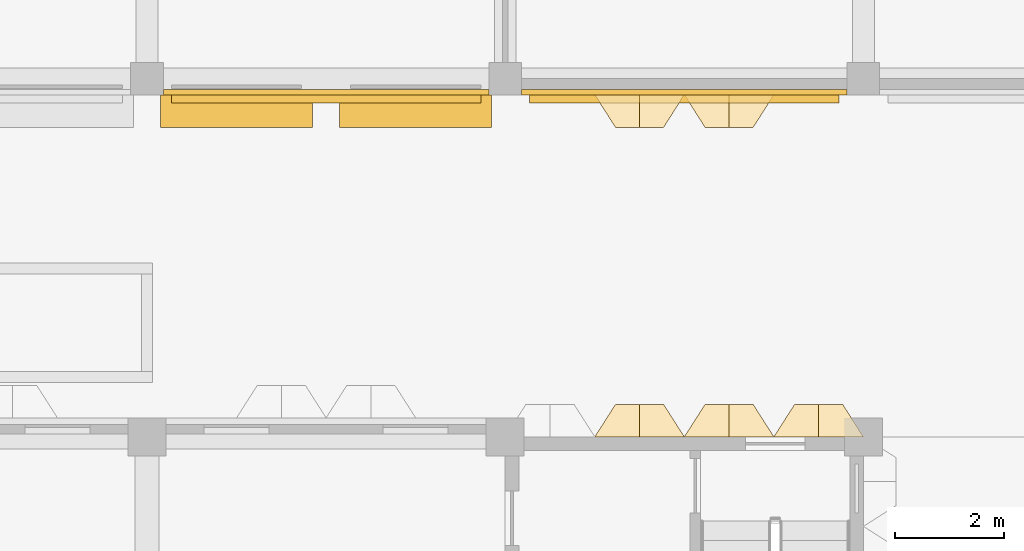
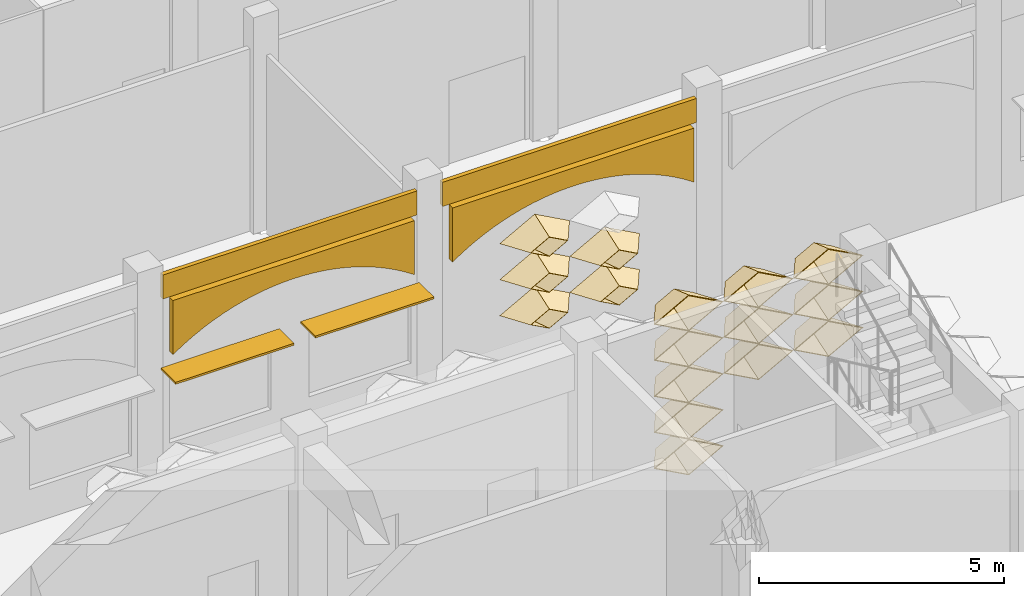
# One storey, part 68 of 85: 20 coverings, 2 shading devices.
"""IFC4 building model written with IfcOpenShell, lengths in metres."""

import ifcopenshell
import ifcopenshell.guid

model = None  # the IFC model being written
_history = None  # IfcOwnerHistory: only IFC2X3 demands one
_inside = {}  # id of a spatial element -> (the spatial element, [elements in it])
_under = {}  # id of a project, library or spatial element -> (it, [spatial elements below it])
_declared = {}  # id of a project -> (the project, [libraries it declares])
_typed = {}  # id of a type object -> (the type object, [elements of that type])
_made_of = {}  # id of a material, layer set ... -> (it, [elements and type objects made of it])


def new_model(schema):
    """Start an empty IFC model of exactly this schema.

    Asked for "IFC4X3", IfcOpenShell would pick the latest addendum, in which some entities
    have other attributes; the version numbers below select the first issue.
    IFC2X3 requires an IfcOwnerHistory on every rooted entity: one is made here for all.
    """
    global model, _history
    if schema == "IFC4X3":
        model = ifcopenshell.file(schema_version=(4, 3, 0, 0))
    else:
        model = ifcopenshell.file(schema=schema)
    _inside.clear()
    _under.clear()
    _declared.clear()
    _typed.clear()
    _made_of.clear()
    _history = None
    if model.schema == "IFC2X3":
        org = make("IfcOrganization", Name="unknown")
        user = make(
            "IfcPersonAndOrganization",
            ThePerson=make("IfcPerson", FamilyName="unknown"),
            TheOrganization=org,
        )
        app = make(
            "IfcApplication",
            ApplicationDeveloper=org,
            Version="unknown",
            ApplicationFullName="unknown",
            ApplicationIdentifier="unknown",
        )
        _history = make(
            "IfcOwnerHistory",
            OwningUser=user,
            OwningApplication=app,
            ChangeAction="ADDED",
            CreationDate=0,
        )
    return model


def make(cls, **values):
    """One entity of the class cls with the attributes given. An attribute that is None is left unset."""
    return model.create_entity(
        cls, **{name: value for name, value in values.items() if value is not None}
    )


def entity(cls, *values):
    """Any entity or typed value of the class cls, its attributes in the order of the schema. None: left unset."""
    e = model.create_entity(cls)
    for i, value in enumerate(values):
        if value is not None:
            e[i] = value
    return e


def rooted(cls, **values):
    """An entity with a GlobalId (a new one), such as an element, a storey or a relation."""
    return make(cls, GlobalId=ifcopenshell.guid.new(), OwnerHistory=_history, **values)


def si_unit(unit_type, name, prefix=None):
    """IfcSIUnit, for example si_unit("LENGTHUNIT", "METRE", prefix="MILLI")."""
    return make("IfcSIUnit", UnitType=unit_type, Prefix=prefix, Name=name)


def assignment(units):
    """IfcUnitAssignment: the units of a project."""
    return None if units is None else make("IfcUnitAssignment", Units=units)


def point(xyz):
    """IfcCartesianPoint."""
    return None if xyz is None else make("IfcCartesianPoint", Coordinates=xyz)


def direction(xyz):
    """IfcDirection."""
    return None if xyz is None else make("IfcDirection", DirectionRatios=xyz)


def frame(location, z_axis=None, x_axis=None):
    """IfcAxis2Placement3D, a coordinate frame: its origin and axes. An axis left out is left unset."""
    return make(
        "IfcAxis2Placement3D",
        Location=point(location),
        Axis=direction(z_axis),
        RefDirection=direction(x_axis),
    )


def frame_2d(location, x_axis=None):
    """IfcAxis2Placement2D, a coordinate frame in the plane: its origin and x axis."""
    return make(
        "IfcAxis2Placement2D", Location=point(location), RefDirection=direction(x_axis)
    )


def origin():
    """The frame at (0, 0, 0) with its axes left unset."""
    return frame((0.0, 0.0, 0.0))


def origin_2d():
    """The frame at (0, 0) in the plane with its x axis left unset."""
    return frame_2d((0.0, 0.0))


def place(relative_to, where):
    """IfcLocalPlacement: puts the frame where relative to a parent placement (None: the world)."""
    return make(
        "IfcLocalPlacement", PlacementRelTo=relative_to, RelativePlacement=where
    )


def context(
    kind, dimensions, precision=None, world=None, true_north=None, identifier=None
):
    """IfcGeometricRepresentationContext, for example the 3D "Model" context."""
    return make(
        "IfcGeometricRepresentationContext",
        ContextIdentifier=identifier,
        ContextType=kind,
        CoordinateSpaceDimension=dimensions,
        Precision=precision,
        WorldCoordinateSystem=world,
        TrueNorth=true_north,
    )


def subcontext(parent, identifier, kind, view, scale=None):
    """IfcGeometricRepresentationSubContext, for example "Body" below "Model"."""
    return make(
        "IfcGeometricRepresentationSubContext",
        ContextIdentifier=identifier,
        ContextType=kind,
        ParentContext=parent,
        TargetScale=scale,
        TargetView=view,
    )


def project(units=None, contexts=None):
    """IfcProject with its units and contexts."""
    return rooted(
        "IfcProject",
        Name="project",
        RepresentationContexts=contexts,
        UnitsInContext=assignment(units),
    )


def spatial(cls, under=None, at=None, **own):
    """A site, building, storey or space (cls), placed at a placement, below another one or the project."""
    s = rooted(cls, ObjectPlacement=at, **own)
    if under is not None:
        _under.setdefault(under.id(), (under, []))[1].append(s)
    return s


def polyline(points):
    """IfcPolyline through the points."""
    return make("IfcPolyline", Points=[point(p) for p in points])


def profile(cls, at=None, kind="AREA", **sizes):
    """A parametric profile (cls). Its sizes go by their IFC names, for example OverallWidth=200.0."""
    return make(cls, ProfileType=kind, Position=at, **sizes)


def rectangle(**sizes):
    """IfcRectangleProfileDef."""
    return profile("IfcRectangleProfileDef", **sizes)


def outline(outer, holes=None, kind="AREA"):
    """IfcArbitraryClosedProfileDef: a profile drawn as a closed curve; with holes, ...WithVoids."""
    if holes is None:
        return make("IfcArbitraryClosedProfileDef", ProfileType=kind, OuterCurve=outer)
    return make(
        "IfcArbitraryProfileDefWithVoids",
        ProfileType=kind,
        OuterCurve=outer,
        InnerCurves=holes,
    )


def extrude(swept, where, along, depth):
    """IfcExtrudedAreaSolid: the profile swept, set in the frame where, extruded along a direction by depth."""
    return make(
        "IfcExtrudedAreaSolid",
        SweptArea=swept,
        Position=where,
        ExtrudedDirection=direction(along),
        Depth=depth,
    )


def shape(context_of_items, identifier, shape_type, items):
    """IfcShapeRepresentation: the items that make up one representation, for example the "Body"."""
    return make(
        "IfcShapeRepresentation",
        ContextOfItems=context_of_items,
        RepresentationIdentifier=identifier,
        RepresentationType=shape_type,
        Items=items,
    )


def material(Name=None, Category=None):
    """IfcMaterial."""
    return make("IfcMaterial", Name=Name, Category=Category)


def layer(
    of_material, thickness, ventilated=None, Name=None, Category=None, Priority=None
):
    """IfcMaterialLayer: one layer of a wall or slab, of a material (None: an air gap)."""
    return make(
        "IfcMaterialLayer",
        Material=of_material,
        LayerThickness=thickness,
        IsVentilated=ventilated,
        Name=Name,
        Category=Category,
        Priority=Priority,
    )


def layer_set(layers, Name=None):
    """IfcMaterialLayerSet."""
    return make("IfcMaterialLayerSet", MaterialLayers=layers, LayerSetName=Name)


def made_of(thing, what):
    """Note that an element or type object is made of a material, layer set ...; save() writes the relation."""
    if what is not None:
        _made_of.setdefault(what.id(), (what, []))[1].append(thing)
    return thing


def type_object(cls, material=None, **own):
    """A type object (cls), such as IfcWallType, which elements share."""
    return made_of(rooted(cls, **own), material)


def element(
    cls,
    number,
    at=None,
    inside=None,
    cuts=None,
    type_object=None,
    material=None,
    context=None,
    identifier="Body",
    shape_type=None,
    held_by="IfcProductDefinitionShape",
    body=None,
    shapes=None,
    **own,
):
    """One element of the class cls, such as IfcWall. Its Tag is "e" and its number.

    at: its placement. inside: the storey or other place that contains it. cuts: it is an
    opening in that element (IfcRelVoidsElement). A single representation is given by context,
    identifier, shape_type and body (its items); several are given by shapes. held_by: the class
    of the entity that holds the representations. save() writes the other relations.
    """
    e = rooted(cls, Tag="e%d" % number, ObjectPlacement=at, **own)
    if body is not None:
        shapes = [shape(context, identifier, shape_type, body)]
    if shapes is not None:
        e.Representation = make(held_by, Representations=shapes)
    if inside is not None:
        _inside.setdefault(inside.id(), (inside, []))[1].append(e)
    if cuts is not None:
        rooted(
            "IfcRelVoidsElement", RelatingBuildingElement=cuts, RelatedOpeningElement=e
        )
    if type_object is not None:
        _typed.setdefault(type_object.id(), (type_object, []))[1].append(e)
    return made_of(e, material)


def aggregate(whole, parts):
    """IfcRelAggregates: a whole, such as a stair, and the parts it consists of."""
    return rooted("IfcRelAggregates", RelatingObject=whole, RelatedObjects=parts)


def save(model, path):
    """Write the relations noted so far, then the file.

    IfcRelAggregates (storeys below a building ...), IfcRelContainedInSpatialStructure (elements
    in a storey), IfcRelDefinesByType, IfcRelAssociatesMaterial and IfcRelDeclares: one each for
    every whole, place, type object, material and project.
    """
    for whole, parts in _under.values():
        aggregate(whole, parts)
    for where, things in _inside.values():
        rooted(
            "IfcRelContainedInSpatialStructure",
            RelatedElements=things,
            RelatingStructure=where,
        )
    for kind, things in _typed.values():
        rooted("IfcRelDefinesByType", RelatedObjects=things, RelatingType=kind)
    for what, things in _made_of.values():
        rooted("IfcRelAssociatesMaterial", RelatedObjects=things, RelatingMaterial=what)
    for by, libraries in _declared.values():
        rooted("IfcRelDeclares", RelatingContext=by, RelatedDefinitions=libraries)
    model.write(path)


model = new_model("IFC4")

# Units and contexts
model_context = context("Model", 3, precision=1e-05, world=origin(), true_north=direction((0.0, 1.0)))
body_context = subcontext(model_context, "Body", "Model", "MODEL_VIEW")
ifc_project = project(units=[si_unit("LENGTHUNIT", "METRE"), si_unit("AREAUNIT", "SQUARE_METRE"), si_unit("VOLUMEUNIT", "CUBIC_METRE"), si_unit("PLANEANGLEUNIT", "RADIAN"), si_unit("MASSUNIT", "GRAM", prefix="KILO")], contexts=[model_context])

# Site, building, storey
site_placement = place(None, origin())
site = spatial("IfcSite", under=ifc_project, at=site_placement, CompositionType="ELEMENT")
building_placement = place(site_placement, origin())
building = spatial("IfcBuilding", under=site, at=building_placement, Name="Lantern Court Research Institute", CompositionType="ELEMENT")
storey_placement = place(building_placement, origin())
storey = spatial("IfcBuildingStorey", under=building, at=storey_placement, Name="L00", CompositionType="ELEMENT", Elevation=0.0)

# Coverings
ifc_material_1 = material(Name="Glass fibre reinforced concrete cladding", Category="concrete")
ifc_layer_1 = layer(ifc_material_1, 0.25)
ifc_layer_set_1 = layer_set([ifc_layer_1], Name="Glass fibre reinforced concrete cladding")
covering_type_1 = type_object("IfcCoveringType", Name="Arcade frieze panel 250 glass fibre reinforced concrete", PredefinedType="CLADDING", material=ifc_layer_set_1)
covering_1_placement = place(storey_placement, frame((0.0, 82.199951171875, 0.0), z_axis=(0.0, -1.0, 0.0), x_axis=(1.0, 0.0, 0.0)))
element("IfcCovering", 1, at=covering_1_placement, inside=storey, type_object=covering_type_1, Name="Cloister arched frieze panel 3", PredefinedType="CLADDING", context=body_context, shape_type="SweptSolid", body=[
    extrude(outline(polyline([(13.64990234375, 4.550048828125), (13.64990234375, 3.199951171875), (13.887451171875, 3.356689453125), (14.125, 3.494873046875), (14.362548828125, 3.615966796875), (14.60009765625, 3.721923828125), (14.83740234375, 3.813232421875), (15.074951171875, 3.89111328125), (15.3125, 3.955810546875), (15.550048828125, 4.00830078125), (15.78759765625, 4.048583984375), (16.02490234375, 4.0771484375), (16.262451171875, 4.09423828125), (16.5, 4.10009765625), (16.737548828125, 4.09423828125), (16.97509765625, 4.0771484375), (17.21240234375, 4.048583984375), (17.449951171875, 4.00830078125), (17.6875, 3.955810546875), (17.925048828125, 3.89111328125), (18.16259765625, 3.813232421875), (18.39990234375, 3.721923828125), (18.637451171875, 3.615966796875), (18.875, 3.494873046875), (19.112548828125, 3.356689453125), (19.35009765625, 3.199951171875), (19.35009765625, 4.550048828125), (13.64990234375, 4.550048828125)])), origin(), (0.0, 0.0, 1.0), 0.14990234375),
])
covering_2_placement = place(storey_placement, frame((0.0, 82.199951171875, 0.0), z_axis=(0.0, -1.0, 0.0), x_axis=(1.0, 0.0, 0.0)))
element("IfcCovering", 2, at=covering_2_placement, inside=storey, type_object=covering_type_1, Name="Cloister arched frieze panel 4", PredefinedType="CLADDING", context=body_context, shape_type="SweptSolid", body=[
    extrude(outline(polyline([(20.25, 4.550048828125), (20.25, 3.199951171875), (20.487548828125, 3.356689453125), (20.72509765625, 3.494873046875), (20.96240234375, 3.615966796875), (21.199951171875, 3.721923828125), (21.4375, 3.813232421875), (21.675048828125, 3.89111328125), (21.91259765625, 3.955810546875), (22.14990234375, 4.00830078125), (22.387451171875, 4.048583984375), (22.625, 4.0771484375), (22.862548828125, 4.09423828125), (23.10009765625, 4.10009765625), (23.33740234375, 4.09423828125), (23.574951171875, 4.0771484375), (23.8125, 4.048583984375), (24.050048828125, 4.00830078125), (24.28759765625, 3.955810546875), (24.52490234375, 3.89111328125), (24.762451171875, 3.813232421875), (25.0, 3.721923828125), (25.237548828125, 3.615966796875), (25.47509765625, 3.494873046875), (25.71240234375, 3.356689453125), (25.949951171875, 3.199951171875), (25.949951171875, 4.550048828125), (20.25, 4.550048828125)])), origin(), (0.0, 0.0, 1.0), 0.14990234375),
])

# Shading devices
ifc_material_2 = material(Name="Aluminium alloy 6063-T6", Category="aluminium")
ifc_layer_2 = layer(ifc_material_2, 0.050048828125)
ifc_layer_set_2 = layer_set([ifc_layer_2], Name="Aluminium alloy 6063-T6")
shading_device_type = type_object("IfcShadingDeviceType", Name="Brise-soleil blade 2800 x 600 x 50 aluminium", PredefinedType="USERDEFINED", material=ifc_layer_set_2)
for number, where, z_axis, x_axis, name in (
    (3, (14.85009765625, 81.89990234375, 2.7998046875), (0.0, 0.0, 1.0), (-1.0, 0.0, 0.0), "Brise-soleil blade L00 S"),
    (4, (18.14990234375, 81.89990234375, 2.7998046875), (0.0, 0.0, 1.0), (-1.0, 0.0, 0.0), "Brise-soleil blade L00 S"),
):
    element("IfcShadingDevice", number, at=place(storey_placement, frame(where, z_axis=z_axis, x_axis=x_axis)), inside=storey, type_object=shading_device_type, Name=name, ObjectType="LOUVRE", PredefinedType="USERDEFINED", context=body_context, shape_type="SweptSolid", body=[
        extrude(rectangle(XDim=2.800048828125, YDim=0.60009765625, at=origin_2d()), origin(), (0.0, 0.0, 1.0), 0.050048828125),
    ])

# Coverings
ifc_material_3 = material(Name="Aluminium composite panel with mineral wool insulation", Category="aluminium")
ifc_layer_3 = layer(ifc_material_3, 0.10009765625)
ifc_layer_set_3 = layer_set([ifc_layer_3], Name="Aluminium composite panel with mineral wool insulation")
covering_type_2 = type_object("IfcCoveringType", Name="Edge fascia panel 100 aluminium faced", PredefinedType="CLADDING", material=ifc_layer_set_3)
for number, where, z_axis, x_axis, name in (
    (5, (19.5, 82.25, 4.550048828125), (0.0, 0.0, 1.0), (-1.0, 0.0, 0.0), "Edge fascia V6S L00 03"),
    (6, (26.10009765625, 82.25, 4.550048828125), (0.0, 0.0, 1.0), (-1.0, 0.0, 0.0), "Edge fascia V6S L00 04"),
):
    element("IfcCovering", number, at=place(storey_placement, frame(where, z_axis=z_axis, x_axis=x_axis)), inside=storey, type_object=covering_type_2, Name=name, PredefinedType="CLADDING", context=body_context, shape_type="SweptSolid", body=[
        extrude(rectangle(XDim=6.0, YDim=0.10009765625, at=frame_2d((3.0, 0.0))), origin(), (0.0, 0.0, 1.0), 0.599853515625),
    ])
ifc_material_4 = material(Name="Anodised aluminium", Category="aluminium")
ifc_layer_4 = layer(ifc_material_4, 0.01611328125)
ifc_layer_set_4 = layer_set([ifc_layer_4], Name="Anodised aluminium")
covering_type_3 = type_object("IfcCoveringType", Name="Fin cassette 1650 x 900 x 600 aluminium", PredefinedType="CLADDING", material=ifc_layer_set_4)
covering_3_placement = place(storey_placement, frame((22.27490234375, 75.89990234375, 1.35009765625), z_axis=(0.0, 1.0, 0.0), x_axis=(-1.0, 0.0, 0.0)))
cartesian_point_1 = entity("IfcCartesianPoint", [0.824951171875, 0.0])
cartesian_point_2 = entity("IfcCartesianPoint", [0.79150390625, 0.0])
cartesian_point_3 = entity("IfcCartesianPoint", [0.44189453125, 0.0])
cartesian_point_4 = entity("IfcCartesianPoint", [0.43359375, 0.0])
element("IfcCovering", 7, at=covering_3_placement, inside=storey, type_object=covering_type_3, Name="Fin cassette V3N-L00 2.14", PredefinedType="CLADDING", context=body_context, shape_type="SweptSolid", body=[
    entity("IfcExtrudedAreaSolidTapered", entity("IfcArbitraryProfileDefWithVoids", "AREA", None, entity("IfcPolyline", [cartesian_point_1, entity("IfcCartesianPoint", [0.0, 0.449951171875]), entity("IfcCartesianPoint", [-0.824951171875, 0.0]), entity("IfcCartesianPoint", [0.0, -0.449951171875]), cartesian_point_1]), [entity("IfcPolyline", [cartesian_point_2, entity("IfcCartesianPoint", [0.0, 0.431884765625]), entity("IfcCartesianPoint", [-0.79150390625, 0.0]), entity("IfcCartesianPoint", [0.0, -0.431884765625]), cartesian_point_2])]), entity("IfcAxis2Placement3D", entity("IfcCartesianPoint", [0.0, 0.0, 0.0])), entity("IfcDirection", [0.0, 0.0, 1.0]), 0.60009765625, entity("IfcArbitraryProfileDefWithVoids", "AREA", None, entity("IfcPolyline", [cartesian_point_3, entity("IfcCartesianPoint", [0.0, 0.240966796875]), entity("IfcCartesianPoint", [-0.44189453125, 0.0]), entity("IfcCartesianPoint", [0.0, -0.240966796875]), cartesian_point_3]), [entity("IfcPolyline", [cartesian_point_4, entity("IfcCartesianPoint", [0.0, 0.236572265625]), entity("IfcCartesianPoint", [-0.43359375, 0.0]), entity("IfcCartesianPoint", [0.0, -0.236572265625]), cartesian_point_4])])),
])
covering_4_placement = place(storey_placement, frame((22.27490234375, 75.89990234375, 2.25), z_axis=(0.0, 1.0, 0.0), x_axis=(-1.0, 0.0, 0.0)))
cartesian_point_5 = entity("IfcCartesianPoint", [0.824951171875, 0.0])
cartesian_point_6 = entity("IfcCartesianPoint", [0.79150390625, 0.0])
cartesian_point_7 = entity("IfcCartesianPoint", [0.44189453125, 0.0])
cartesian_point_8 = entity("IfcCartesianPoint", [0.43359375, 0.0])
element("IfcCovering", 8, at=covering_4_placement, inside=storey, type_object=covering_type_3, Name="Fin cassette V3N-L00 3.14", PredefinedType="CLADDING", context=body_context, shape_type="SweptSolid", body=[
    entity("IfcExtrudedAreaSolidTapered", entity("IfcArbitraryProfileDefWithVoids", "AREA", None, entity("IfcPolyline", [cartesian_point_5, entity("IfcCartesianPoint", [0.0, 0.449951171875]), entity("IfcCartesianPoint", [-0.824951171875, 0.0]), entity("IfcCartesianPoint", [0.0, -0.449951171875]), cartesian_point_5]), [entity("IfcPolyline", [cartesian_point_6, entity("IfcCartesianPoint", [0.0, 0.431884765625]), entity("IfcCartesianPoint", [-0.79150390625, 0.0]), entity("IfcCartesianPoint", [0.0, -0.431884765625]), cartesian_point_6])]), entity("IfcAxis2Placement3D", entity("IfcCartesianPoint", [0.0, 0.0, 0.0])), entity("IfcDirection", [0.0, 0.0, 1.0]), 0.60009765625, entity("IfcArbitraryProfileDefWithVoids", "AREA", None, entity("IfcPolyline", [cartesian_point_7, entity("IfcCartesianPoint", [0.0, 0.240966796875]), entity("IfcCartesianPoint", [-0.44189453125, 0.0]), entity("IfcCartesianPoint", [0.0, -0.240966796875]), cartesian_point_7]), [entity("IfcPolyline", [cartesian_point_8, entity("IfcCartesianPoint", [0.0, 0.236572265625]), entity("IfcCartesianPoint", [-0.43359375, 0.0]), entity("IfcCartesianPoint", [0.0, -0.236572265625]), cartesian_point_8])])),
])
covering_5_placement = place(storey_placement, frame((22.27490234375, 75.89990234375, 3.14990234375), z_axis=(0.0, 1.0, 0.0), x_axis=(-1.0, 0.0, 0.0)))
cartesian_point_9 = entity("IfcCartesianPoint", [0.824951171875, 0.0])
cartesian_point_10 = entity("IfcCartesianPoint", [0.79150390625, 0.0])
cartesian_point_11 = entity("IfcCartesianPoint", [0.44189453125, 0.0])
cartesian_point_12 = entity("IfcCartesianPoint", [0.43359375, 0.0])
element("IfcCovering", 9, at=covering_5_placement, inside=storey, type_object=covering_type_3, Name="Fin cassette V3N-L00 4.14", PredefinedType="CLADDING", context=body_context, shape_type="SweptSolid", body=[
    entity("IfcExtrudedAreaSolidTapered", entity("IfcArbitraryProfileDefWithVoids", "AREA", None, entity("IfcPolyline", [cartesian_point_9, entity("IfcCartesianPoint", [0.0, 0.449951171875]), entity("IfcCartesianPoint", [-0.824951171875, 0.0]), entity("IfcCartesianPoint", [0.0, -0.449951171875]), cartesian_point_9]), [entity("IfcPolyline", [cartesian_point_10, entity("IfcCartesianPoint", [0.0, 0.431884765625]), entity("IfcCartesianPoint", [-0.79150390625, 0.0]), entity("IfcCartesianPoint", [0.0, -0.431884765625]), cartesian_point_10])]), entity("IfcAxis2Placement3D", entity("IfcCartesianPoint", [0.0, 0.0, 0.0])), entity("IfcDirection", [0.0, 0.0, 1.0]), 0.60009765625, entity("IfcArbitraryProfileDefWithVoids", "AREA", None, entity("IfcPolyline", [cartesian_point_11, entity("IfcCartesianPoint", [0.0, 0.240966796875]), entity("IfcCartesianPoint", [-0.44189453125, 0.0]), entity("IfcCartesianPoint", [0.0, -0.240966796875]), cartesian_point_11]), [entity("IfcPolyline", [cartesian_point_12, entity("IfcCartesianPoint", [0.0, 0.236572265625]), entity("IfcCartesianPoint", [-0.43359375, 0.0]), entity("IfcCartesianPoint", [0.0, -0.236572265625]), cartesian_point_12])])),
])
covering_6_placement = place(storey_placement, frame((23.925048828125, 75.89990234375, 3.14990234375), z_axis=(0.0, 1.0, 0.0), x_axis=(-1.0, 0.0, 0.0)))
cartesian_point_13 = entity("IfcCartesianPoint", [0.824951171875, 0.0])
cartesian_point_14 = entity("IfcCartesianPoint", [0.79150390625, 0.0])
cartesian_point_15 = entity("IfcCartesianPoint", [0.44189453125, 0.0])
cartesian_point_16 = entity("IfcCartesianPoint", [0.43359375, 0.0])
element("IfcCovering", 10, at=covering_6_placement, inside=storey, type_object=covering_type_3, Name="Fin cassette V3N-L00 4.15", PredefinedType="CLADDING", context=body_context, shape_type="SweptSolid", body=[
    entity("IfcExtrudedAreaSolidTapered", entity("IfcArbitraryProfileDefWithVoids", "AREA", None, entity("IfcPolyline", [cartesian_point_13, entity("IfcCartesianPoint", [0.0, 0.449951171875]), entity("IfcCartesianPoint", [-0.824951171875, 0.0]), entity("IfcCartesianPoint", [0.0, -0.449951171875]), cartesian_point_13]), [entity("IfcPolyline", [cartesian_point_14, entity("IfcCartesianPoint", [0.0, 0.431884765625]), entity("IfcCartesianPoint", [-0.79150390625, 0.0]), entity("IfcCartesianPoint", [0.0, -0.431884765625]), cartesian_point_14])]), entity("IfcAxis2Placement3D", entity("IfcCartesianPoint", [0.0, 0.0, 0.0])), entity("IfcDirection", [0.0, 0.0, 1.0]), 0.60009765625, entity("IfcArbitraryProfileDefWithVoids", "AREA", None, entity("IfcPolyline", [cartesian_point_15, entity("IfcCartesianPoint", [0.0, 0.240966796875]), entity("IfcCartesianPoint", [-0.44189453125, 0.0]), entity("IfcCartesianPoint", [0.0, -0.240966796875]), cartesian_point_15]), [entity("IfcPolyline", [cartesian_point_16, entity("IfcCartesianPoint", [0.0, 0.236572265625]), entity("IfcCartesianPoint", [-0.43359375, 0.0]), entity("IfcCartesianPoint", [0.0, -0.236572265625]), cartesian_point_16])])),
])
covering_7_placement = place(storey_placement, frame((25.574951171875, 75.89990234375, 3.14990234375), z_axis=(0.0, 1.0, 0.0), x_axis=(-1.0, 0.0, 0.0)))
cartesian_point_17 = entity("IfcCartesianPoint", [0.824951171875, 0.0])
cartesian_point_18 = entity("IfcCartesianPoint", [0.79150390625, 0.0])
cartesian_point_19 = entity("IfcCartesianPoint", [0.44189453125, 0.0])
cartesian_point_20 = entity("IfcCartesianPoint", [0.43359375, 0.0])
element("IfcCovering", 11, at=covering_7_placement, inside=storey, type_object=covering_type_3, Name="Fin cassette V3N-L00 4.16", PredefinedType="CLADDING", context=body_context, shape_type="SweptSolid", body=[
    entity("IfcExtrudedAreaSolidTapered", entity("IfcArbitraryProfileDefWithVoids", "AREA", None, entity("IfcPolyline", [cartesian_point_17, entity("IfcCartesianPoint", [0.0, 0.449951171875]), entity("IfcCartesianPoint", [-0.824951171875, 0.0]), entity("IfcCartesianPoint", [0.0, -0.449951171875]), cartesian_point_17]), [entity("IfcPolyline", [cartesian_point_18, entity("IfcCartesianPoint", [0.0, 0.431884765625]), entity("IfcCartesianPoint", [-0.79150390625, 0.0]), entity("IfcCartesianPoint", [0.0, -0.431884765625]), cartesian_point_18])]), entity("IfcAxis2Placement3D", entity("IfcCartesianPoint", [0.0, 0.0, 0.0])), entity("IfcDirection", [0.0, 0.0, 1.0]), 0.60009765625, entity("IfcArbitraryProfileDefWithVoids", "AREA", None, entity("IfcPolyline", [cartesian_point_19, entity("IfcCartesianPoint", [0.0, 0.240966796875]), entity("IfcCartesianPoint", [-0.44189453125, 0.0]), entity("IfcCartesianPoint", [0.0, -0.240966796875]), cartesian_point_19]), [entity("IfcPolyline", [cartesian_point_20, entity("IfcCartesianPoint", [0.0, 0.236572265625]), entity("IfcCartesianPoint", [-0.43359375, 0.0]), entity("IfcCartesianPoint", [0.0, -0.236572265625]), cartesian_point_20])])),
])
covering_8_placement = place(storey_placement, frame((22.27490234375, 75.89990234375, 4.050048828125), z_axis=(0.0, 1.0, 0.0), x_axis=(-1.0, 0.0, 0.0)))
cartesian_point_21 = entity("IfcCartesianPoint", [0.824951171875, 0.0])
cartesian_point_22 = entity("IfcCartesianPoint", [0.79150390625, 0.0])
cartesian_point_23 = entity("IfcCartesianPoint", [0.44189453125, 0.0])
cartesian_point_24 = entity("IfcCartesianPoint", [0.43359375, 0.0])
element("IfcCovering", 12, at=covering_8_placement, inside=storey, type_object=covering_type_3, Name="Fin cassette V3N-L00 5.14", PredefinedType="CLADDING", context=body_context, shape_type="SweptSolid", body=[
    entity("IfcExtrudedAreaSolidTapered", entity("IfcArbitraryProfileDefWithVoids", "AREA", None, entity("IfcPolyline", [cartesian_point_21, entity("IfcCartesianPoint", [0.0, 0.449951171875]), entity("IfcCartesianPoint", [-0.824951171875, 0.0]), entity("IfcCartesianPoint", [0.0, -0.449951171875]), cartesian_point_21]), [entity("IfcPolyline", [cartesian_point_22, entity("IfcCartesianPoint", [0.0, 0.431884765625]), entity("IfcCartesianPoint", [-0.79150390625, 0.0]), entity("IfcCartesianPoint", [0.0, -0.431884765625]), cartesian_point_22])]), entity("IfcAxis2Placement3D", entity("IfcCartesianPoint", [0.0, 0.0, 0.0])), entity("IfcDirection", [0.0, 0.0, 1.0]), 0.60009765625, entity("IfcArbitraryProfileDefWithVoids", "AREA", None, entity("IfcPolyline", [cartesian_point_23, entity("IfcCartesianPoint", [0.0, 0.240966796875]), entity("IfcCartesianPoint", [-0.44189453125, 0.0]), entity("IfcCartesianPoint", [0.0, -0.240966796875]), cartesian_point_23]), [entity("IfcPolyline", [cartesian_point_24, entity("IfcCartesianPoint", [0.0, 0.236572265625]), entity("IfcCartesianPoint", [-0.43359375, 0.0]), entity("IfcCartesianPoint", [0.0, -0.236572265625]), cartesian_point_24])])),
])
covering_9_placement = place(storey_placement, frame((23.925048828125, 75.89990234375, 4.050048828125), z_axis=(0.0, 1.0, 0.0), x_axis=(-1.0, 0.0, 0.0)))
cartesian_point_25 = entity("IfcCartesianPoint", [0.824951171875, 0.0])
cartesian_point_26 = entity("IfcCartesianPoint", [0.79150390625, 0.0])
cartesian_point_27 = entity("IfcCartesianPoint", [0.44189453125, 0.0])
cartesian_point_28 = entity("IfcCartesianPoint", [0.43359375, 0.0])
element("IfcCovering", 13, at=covering_9_placement, inside=storey, type_object=covering_type_3, Name="Fin cassette V3N-L00 5.15", PredefinedType="CLADDING", context=body_context, shape_type="SweptSolid", body=[
    entity("IfcExtrudedAreaSolidTapered", entity("IfcArbitraryProfileDefWithVoids", "AREA", None, entity("IfcPolyline", [cartesian_point_25, entity("IfcCartesianPoint", [0.0, 0.449951171875]), entity("IfcCartesianPoint", [-0.824951171875, 0.0]), entity("IfcCartesianPoint", [0.0, -0.449951171875]), cartesian_point_25]), [entity("IfcPolyline", [cartesian_point_26, entity("IfcCartesianPoint", [0.0, 0.431884765625]), entity("IfcCartesianPoint", [-0.79150390625, 0.0]), entity("IfcCartesianPoint", [0.0, -0.431884765625]), cartesian_point_26])]), entity("IfcAxis2Placement3D", entity("IfcCartesianPoint", [0.0, 0.0, 0.0])), entity("IfcDirection", [0.0, 0.0, 1.0]), 0.60009765625, entity("IfcArbitraryProfileDefWithVoids", "AREA", None, entity("IfcPolyline", [cartesian_point_27, entity("IfcCartesianPoint", [0.0, 0.240966796875]), entity("IfcCartesianPoint", [-0.44189453125, 0.0]), entity("IfcCartesianPoint", [0.0, -0.240966796875]), cartesian_point_27]), [entity("IfcPolyline", [cartesian_point_28, entity("IfcCartesianPoint", [0.0, 0.236572265625]), entity("IfcCartesianPoint", [-0.43359375, 0.0]), entity("IfcCartesianPoint", [0.0, -0.236572265625]), cartesian_point_28])])),
])
covering_10_placement = place(storey_placement, frame((25.574951171875, 75.89990234375, 4.050048828125), z_axis=(0.0, 1.0, 0.0), x_axis=(-1.0, 0.0, 0.0)))
cartesian_point_29 = entity("IfcCartesianPoint", [0.824951171875, 0.0])
cartesian_point_30 = entity("IfcCartesianPoint", [0.79150390625, 0.0])
cartesian_point_31 = entity("IfcCartesianPoint", [0.44189453125, 0.0])
cartesian_point_32 = entity("IfcCartesianPoint", [0.43359375, 0.0])
element("IfcCovering", 14, at=covering_10_placement, inside=storey, type_object=covering_type_3, Name="Fin cassette V3N-L00 5.16", PredefinedType="CLADDING", context=body_context, shape_type="SweptSolid", body=[
    entity("IfcExtrudedAreaSolidTapered", entity("IfcArbitraryProfileDefWithVoids", "AREA", None, entity("IfcPolyline", [cartesian_point_29, entity("IfcCartesianPoint", [0.0, 0.449951171875]), entity("IfcCartesianPoint", [-0.824951171875, 0.0]), entity("IfcCartesianPoint", [0.0, -0.449951171875]), cartesian_point_29]), [entity("IfcPolyline", [cartesian_point_30, entity("IfcCartesianPoint", [0.0, 0.431884765625]), entity("IfcCartesianPoint", [-0.79150390625, 0.0]), entity("IfcCartesianPoint", [0.0, -0.431884765625]), cartesian_point_30])]), entity("IfcAxis2Placement3D", entity("IfcCartesianPoint", [0.0, 0.0, 0.0])), entity("IfcDirection", [0.0, 0.0, 1.0]), 0.60009765625, entity("IfcArbitraryProfileDefWithVoids", "AREA", None, entity("IfcPolyline", [cartesian_point_31, entity("IfcCartesianPoint", [0.0, 0.240966796875]), entity("IfcCartesianPoint", [-0.44189453125, 0.0]), entity("IfcCartesianPoint", [0.0, -0.240966796875]), cartesian_point_31]), [entity("IfcPolyline", [cartesian_point_32, entity("IfcCartesianPoint", [0.0, 0.236572265625]), entity("IfcCartesianPoint", [-0.43359375, 0.0]), entity("IfcCartesianPoint", [0.0, -0.236572265625]), cartesian_point_32])])),
])
covering_11_placement = place(storey_placement, frame((22.27490234375, 75.89990234375, 4.949951171875), z_axis=(0.0, 1.0, 0.0), x_axis=(-1.0, 0.0, 0.0)))
cartesian_point_33 = entity("IfcCartesianPoint", [0.824951171875, 0.0])
cartesian_point_34 = entity("IfcCartesianPoint", [0.79150390625, 0.0])
cartesian_point_35 = entity("IfcCartesianPoint", [0.44189453125, 0.0])
cartesian_point_36 = entity("IfcCartesianPoint", [0.43359375, 0.0])
element("IfcCovering", 15, at=covering_11_placement, inside=storey, type_object=covering_type_3, Name="Fin cassette V3N-L00 6.14", PredefinedType="CLADDING", context=body_context, shape_type="SweptSolid", body=[
    entity("IfcExtrudedAreaSolidTapered", entity("IfcArbitraryProfileDefWithVoids", "AREA", None, entity("IfcPolyline", [cartesian_point_33, entity("IfcCartesianPoint", [0.0, 0.449951171875]), entity("IfcCartesianPoint", [-0.824951171875, 0.0]), entity("IfcCartesianPoint", [0.0, -0.449951171875]), cartesian_point_33]), [entity("IfcPolyline", [cartesian_point_34, entity("IfcCartesianPoint", [0.0, 0.431884765625]), entity("IfcCartesianPoint", [-0.79150390625, 0.0]), entity("IfcCartesianPoint", [0.0, -0.431884765625]), cartesian_point_34])]), entity("IfcAxis2Placement3D", entity("IfcCartesianPoint", [0.0, 0.0, 0.0])), entity("IfcDirection", [0.0, 0.0, 1.0]), 0.60009765625, entity("IfcArbitraryProfileDefWithVoids", "AREA", None, entity("IfcPolyline", [cartesian_point_35, entity("IfcCartesianPoint", [0.0, 0.240966796875]), entity("IfcCartesianPoint", [-0.44189453125, 0.0]), entity("IfcCartesianPoint", [0.0, -0.240966796875]), cartesian_point_35]), [entity("IfcPolyline", [cartesian_point_36, entity("IfcCartesianPoint", [0.0, 0.236572265625]), entity("IfcCartesianPoint", [-0.43359375, 0.0]), entity("IfcCartesianPoint", [0.0, -0.236572265625]), cartesian_point_36])])),
])
covering_12_placement = place(storey_placement, frame((23.925048828125, 75.89990234375, 4.949951171875), z_axis=(0.0, 1.0, 0.0), x_axis=(-1.0, 0.0, 0.0)))
cartesian_point_37 = entity("IfcCartesianPoint", [0.824951171875, 0.0])
cartesian_point_38 = entity("IfcCartesianPoint", [0.79150390625, 0.0])
cartesian_point_39 = entity("IfcCartesianPoint", [0.44189453125, 0.0])
cartesian_point_40 = entity("IfcCartesianPoint", [0.43359375, 0.0])
element("IfcCovering", 16, at=covering_12_placement, inside=storey, type_object=covering_type_3, Name="Fin cassette V3N-L00 6.15", PredefinedType="CLADDING", context=body_context, shape_type="SweptSolid", body=[
    entity("IfcExtrudedAreaSolidTapered", entity("IfcArbitraryProfileDefWithVoids", "AREA", None, entity("IfcPolyline", [cartesian_point_37, entity("IfcCartesianPoint", [0.0, 0.449951171875]), entity("IfcCartesianPoint", [-0.824951171875, 0.0]), entity("IfcCartesianPoint", [0.0, -0.449951171875]), cartesian_point_37]), [entity("IfcPolyline", [cartesian_point_38, entity("IfcCartesianPoint", [0.0, 0.431884765625]), entity("IfcCartesianPoint", [-0.79150390625, 0.0]), entity("IfcCartesianPoint", [0.0, -0.431884765625]), cartesian_point_38])]), entity("IfcAxis2Placement3D", entity("IfcCartesianPoint", [0.0, 0.0, 0.0])), entity("IfcDirection", [0.0, 0.0, 1.0]), 0.60009765625, entity("IfcArbitraryProfileDefWithVoids", "AREA", None, entity("IfcPolyline", [cartesian_point_39, entity("IfcCartesianPoint", [0.0, 0.240966796875]), entity("IfcCartesianPoint", [-0.44189453125, 0.0]), entity("IfcCartesianPoint", [0.0, -0.240966796875]), cartesian_point_39]), [entity("IfcPolyline", [cartesian_point_40, entity("IfcCartesianPoint", [0.0, 0.236572265625]), entity("IfcCartesianPoint", [-0.43359375, 0.0]), entity("IfcCartesianPoint", [0.0, -0.236572265625]), cartesian_point_40])])),
])
covering_13_placement = place(storey_placement, frame((25.574951171875, 75.89990234375, 4.949951171875), z_axis=(0.0, 1.0, 0.0), x_axis=(-1.0, 0.0, 0.0)))
cartesian_point_41 = entity("IfcCartesianPoint", [0.824951171875, 0.0])
cartesian_point_42 = entity("IfcCartesianPoint", [0.79150390625, 0.0])
cartesian_point_43 = entity("IfcCartesianPoint", [0.44189453125, 0.0])
cartesian_point_44 = entity("IfcCartesianPoint", [0.43359375, 0.0])
element("IfcCovering", 17, at=covering_13_placement, inside=storey, type_object=covering_type_3, Name="Fin cassette V3N-L00 6.16", PredefinedType="CLADDING", context=body_context, shape_type="SweptSolid", body=[
    entity("IfcExtrudedAreaSolidTapered", entity("IfcArbitraryProfileDefWithVoids", "AREA", None, entity("IfcPolyline", [cartesian_point_41, entity("IfcCartesianPoint", [0.0, 0.449951171875]), entity("IfcCartesianPoint", [-0.824951171875, 0.0]), entity("IfcCartesianPoint", [0.0, -0.449951171875]), cartesian_point_41]), [entity("IfcPolyline", [cartesian_point_42, entity("IfcCartesianPoint", [0.0, 0.431884765625]), entity("IfcCartesianPoint", [-0.79150390625, 0.0]), entity("IfcCartesianPoint", [0.0, -0.431884765625]), cartesian_point_42])]), entity("IfcAxis2Placement3D", entity("IfcCartesianPoint", [0.0, 0.0, 0.0])), entity("IfcDirection", [0.0, 0.0, 1.0]), 0.60009765625, entity("IfcArbitraryProfileDefWithVoids", "AREA", None, entity("IfcPolyline", [cartesian_point_43, entity("IfcCartesianPoint", [0.0, 0.240966796875]), entity("IfcCartesianPoint", [-0.44189453125, 0.0]), entity("IfcCartesianPoint", [0.0, -0.240966796875]), cartesian_point_43]), [entity("IfcPolyline", [cartesian_point_44, entity("IfcCartesianPoint", [0.0, 0.236572265625]), entity("IfcCartesianPoint", [-0.43359375, 0.0]), entity("IfcCartesianPoint", [0.0, -0.236572265625]), cartesian_point_44])])),
])
covering_14_placement = place(storey_placement, frame((22.27490234375, 82.199951171875, 1.35009765625), z_axis=(0.0, -1.0, 0.0), x_axis=(1.0, 0.0, 0.0)))
cartesian_point_45 = entity("IfcCartesianPoint", [0.824951171875, 0.0])
cartesian_point_46 = entity("IfcCartesianPoint", [0.79150390625, 0.0])
cartesian_point_47 = entity("IfcCartesianPoint", [0.44189453125, 0.0])
cartesian_point_48 = entity("IfcCartesianPoint", [0.43359375, 0.0])
element("IfcCovering", 18, at=covering_14_placement, inside=storey, type_object=covering_type_3, Name="Fin cassette V6S-L00 2.14", PredefinedType="CLADDING", context=body_context, shape_type="SweptSolid", body=[
    entity("IfcExtrudedAreaSolidTapered", entity("IfcArbitraryProfileDefWithVoids", "AREA", None, entity("IfcPolyline", [cartesian_point_45, entity("IfcCartesianPoint", [0.0, 0.449951171875]), entity("IfcCartesianPoint", [-0.824951171875, 0.0]), entity("IfcCartesianPoint", [0.0, -0.449951171875]), cartesian_point_45]), [entity("IfcPolyline", [cartesian_point_46, entity("IfcCartesianPoint", [0.0, 0.431884765625]), entity("IfcCartesianPoint", [-0.79150390625, 0.0]), entity("IfcCartesianPoint", [0.0, -0.431884765625]), cartesian_point_46])]), entity("IfcAxis2Placement3D", entity("IfcCartesianPoint", [0.0, 0.0, 0.0])), entity("IfcDirection", [0.0, 0.0, 1.0]), 0.60009765625, entity("IfcArbitraryProfileDefWithVoids", "AREA", None, entity("IfcPolyline", [cartesian_point_47, entity("IfcCartesianPoint", [0.0, 0.240966796875]), entity("IfcCartesianPoint", [-0.44189453125, 0.0]), entity("IfcCartesianPoint", [0.0, -0.240966796875]), cartesian_point_47]), [entity("IfcPolyline", [cartesian_point_48, entity("IfcCartesianPoint", [0.0, 0.236572265625]), entity("IfcCartesianPoint", [-0.43359375, 0.0]), entity("IfcCartesianPoint", [0.0, -0.236572265625]), cartesian_point_48])])),
])
covering_15_placement = place(storey_placement, frame((23.925048828125, 82.199951171875, 1.35009765625), z_axis=(0.0, -1.0, 0.0), x_axis=(1.0, 0.0, 0.0)))
cartesian_point_49 = entity("IfcCartesianPoint", [0.824951171875, 0.0])
cartesian_point_50 = entity("IfcCartesianPoint", [0.79150390625, 0.0])
cartesian_point_51 = entity("IfcCartesianPoint", [0.44189453125, 0.0])
cartesian_point_52 = entity("IfcCartesianPoint", [0.43359375, 0.0])
element("IfcCovering", 19, at=covering_15_placement, inside=storey, type_object=covering_type_3, Name="Fin cassette V6S-L00 2.15", PredefinedType="CLADDING", context=body_context, shape_type="SweptSolid", body=[
    entity("IfcExtrudedAreaSolidTapered", entity("IfcArbitraryProfileDefWithVoids", "AREA", None, entity("IfcPolyline", [cartesian_point_49, entity("IfcCartesianPoint", [0.0, 0.449951171875]), entity("IfcCartesianPoint", [-0.824951171875, 0.0]), entity("IfcCartesianPoint", [0.0, -0.449951171875]), cartesian_point_49]), [entity("IfcPolyline", [cartesian_point_50, entity("IfcCartesianPoint", [0.0, 0.431884765625]), entity("IfcCartesianPoint", [-0.79150390625, 0.0]), entity("IfcCartesianPoint", [0.0, -0.431884765625]), cartesian_point_50])]), entity("IfcAxis2Placement3D", entity("IfcCartesianPoint", [0.0, 0.0, 0.0])), entity("IfcDirection", [0.0, 0.0, 1.0]), 0.60009765625, entity("IfcArbitraryProfileDefWithVoids", "AREA", None, entity("IfcPolyline", [cartesian_point_51, entity("IfcCartesianPoint", [0.0, 0.240966796875]), entity("IfcCartesianPoint", [-0.44189453125, 0.0]), entity("IfcCartesianPoint", [0.0, -0.240966796875]), cartesian_point_51]), [entity("IfcPolyline", [cartesian_point_52, entity("IfcCartesianPoint", [0.0, 0.236572265625]), entity("IfcCartesianPoint", [-0.43359375, 0.0]), entity("IfcCartesianPoint", [0.0, -0.236572265625]), cartesian_point_52])])),
])
covering_16_placement = place(storey_placement, frame((22.27490234375, 82.199951171875, 2.25), z_axis=(0.0, -1.0, 0.0), x_axis=(1.0, 0.0, 0.0)))
cartesian_point_53 = entity("IfcCartesianPoint", [0.824951171875, 0.0])
cartesian_point_54 = entity("IfcCartesianPoint", [0.79150390625, 0.0])
cartesian_point_55 = entity("IfcCartesianPoint", [0.44189453125, 0.0])
cartesian_point_56 = entity("IfcCartesianPoint", [0.43359375, 0.0])
element("IfcCovering", 20, at=covering_16_placement, inside=storey, type_object=covering_type_3, Name="Fin cassette V6S-L00 3.14", PredefinedType="CLADDING", context=body_context, shape_type="SweptSolid", body=[
    entity("IfcExtrudedAreaSolidTapered", entity("IfcArbitraryProfileDefWithVoids", "AREA", None, entity("IfcPolyline", [cartesian_point_53, entity("IfcCartesianPoint", [0.0, 0.449951171875]), entity("IfcCartesianPoint", [-0.824951171875, 0.0]), entity("IfcCartesianPoint", [0.0, -0.449951171875]), cartesian_point_53]), [entity("IfcPolyline", [cartesian_point_54, entity("IfcCartesianPoint", [0.0, 0.431884765625]), entity("IfcCartesianPoint", [-0.79150390625, 0.0]), entity("IfcCartesianPoint", [0.0, -0.431884765625]), cartesian_point_54])]), entity("IfcAxis2Placement3D", entity("IfcCartesianPoint", [0.0, 0.0, 0.0])), entity("IfcDirection", [0.0, 0.0, 1.0]), 0.60009765625, entity("IfcArbitraryProfileDefWithVoids", "AREA", None, entity("IfcPolyline", [cartesian_point_55, entity("IfcCartesianPoint", [0.0, 0.240966796875]), entity("IfcCartesianPoint", [-0.44189453125, 0.0]), entity("IfcCartesianPoint", [0.0, -0.240966796875]), cartesian_point_55]), [entity("IfcPolyline", [cartesian_point_56, entity("IfcCartesianPoint", [0.0, 0.236572265625]), entity("IfcCartesianPoint", [-0.43359375, 0.0]), entity("IfcCartesianPoint", [0.0, -0.236572265625]), cartesian_point_56])])),
])
covering_17_placement = place(storey_placement, frame((23.925048828125, 82.199951171875, 2.25), z_axis=(0.0, -1.0, 0.0), x_axis=(1.0, 0.0, 0.0)))
cartesian_point_57 = entity("IfcCartesianPoint", [0.824951171875, 0.0])
cartesian_point_58 = entity("IfcCartesianPoint", [0.79150390625, 0.0])
cartesian_point_59 = entity("IfcCartesianPoint", [0.44189453125, 0.0])
cartesian_point_60 = entity("IfcCartesianPoint", [0.43359375, 0.0])
element("IfcCovering", 21, at=covering_17_placement, inside=storey, type_object=covering_type_3, Name="Fin cassette V6S-L00 3.15", PredefinedType="CLADDING", context=body_context, shape_type="SweptSolid", body=[
    entity("IfcExtrudedAreaSolidTapered", entity("IfcArbitraryProfileDefWithVoids", "AREA", None, entity("IfcPolyline", [cartesian_point_57, entity("IfcCartesianPoint", [0.0, 0.449951171875]), entity("IfcCartesianPoint", [-0.824951171875, 0.0]), entity("IfcCartesianPoint", [0.0, -0.449951171875]), cartesian_point_57]), [entity("IfcPolyline", [cartesian_point_58, entity("IfcCartesianPoint", [0.0, 0.431884765625]), entity("IfcCartesianPoint", [-0.79150390625, 0.0]), entity("IfcCartesianPoint", [0.0, -0.431884765625]), cartesian_point_58])]), entity("IfcAxis2Placement3D", entity("IfcCartesianPoint", [0.0, 0.0, 0.0])), entity("IfcDirection", [0.0, 0.0, 1.0]), 0.60009765625, entity("IfcArbitraryProfileDefWithVoids", "AREA", None, entity("IfcPolyline", [cartesian_point_59, entity("IfcCartesianPoint", [0.0, 0.240966796875]), entity("IfcCartesianPoint", [-0.44189453125, 0.0]), entity("IfcCartesianPoint", [0.0, -0.240966796875]), cartesian_point_59]), [entity("IfcPolyline", [cartesian_point_60, entity("IfcCartesianPoint", [0.0, 0.236572265625]), entity("IfcCartesianPoint", [-0.43359375, 0.0]), entity("IfcCartesianPoint", [0.0, -0.236572265625]), cartesian_point_60])])),
])
covering_18_placement = place(storey_placement, frame((22.27490234375, 82.199951171875, 3.14990234375), z_axis=(0.0, -1.0, 0.0), x_axis=(1.0, 0.0, 0.0)))
cartesian_point_61 = entity("IfcCartesianPoint", [0.824951171875, 0.0])
cartesian_point_62 = entity("IfcCartesianPoint", [0.79150390625, 0.0])
cartesian_point_63 = entity("IfcCartesianPoint", [0.44189453125, 0.0])
cartesian_point_64 = entity("IfcCartesianPoint", [0.43359375, 0.0])
element("IfcCovering", 22, at=covering_18_placement, inside=storey, type_object=covering_type_3, Name="Fin cassette V6S-L00 4.14", PredefinedType="CLADDING", context=body_context, shape_type="SweptSolid", body=[
    entity("IfcExtrudedAreaSolidTapered", entity("IfcArbitraryProfileDefWithVoids", "AREA", None, entity("IfcPolyline", [cartesian_point_61, entity("IfcCartesianPoint", [0.0, 0.449951171875]), entity("IfcCartesianPoint", [-0.824951171875, 0.0]), entity("IfcCartesianPoint", [0.0, -0.449951171875]), cartesian_point_61]), [entity("IfcPolyline", [cartesian_point_62, entity("IfcCartesianPoint", [0.0, 0.431884765625]), entity("IfcCartesianPoint", [-0.79150390625, 0.0]), entity("IfcCartesianPoint", [0.0, -0.431884765625]), cartesian_point_62])]), entity("IfcAxis2Placement3D", entity("IfcCartesianPoint", [0.0, 0.0, 0.0])), entity("IfcDirection", [0.0, 0.0, 1.0]), 0.60009765625, entity("IfcArbitraryProfileDefWithVoids", "AREA", None, entity("IfcPolyline", [cartesian_point_63, entity("IfcCartesianPoint", [0.0, 0.240966796875]), entity("IfcCartesianPoint", [-0.44189453125, 0.0]), entity("IfcCartesianPoint", [0.0, -0.240966796875]), cartesian_point_63]), [entity("IfcPolyline", [cartesian_point_64, entity("IfcCartesianPoint", [0.0, 0.236572265625]), entity("IfcCartesianPoint", [-0.43359375, 0.0]), entity("IfcCartesianPoint", [0.0, -0.236572265625]), cartesian_point_64])])),
])

save(model, "model.ifc")
